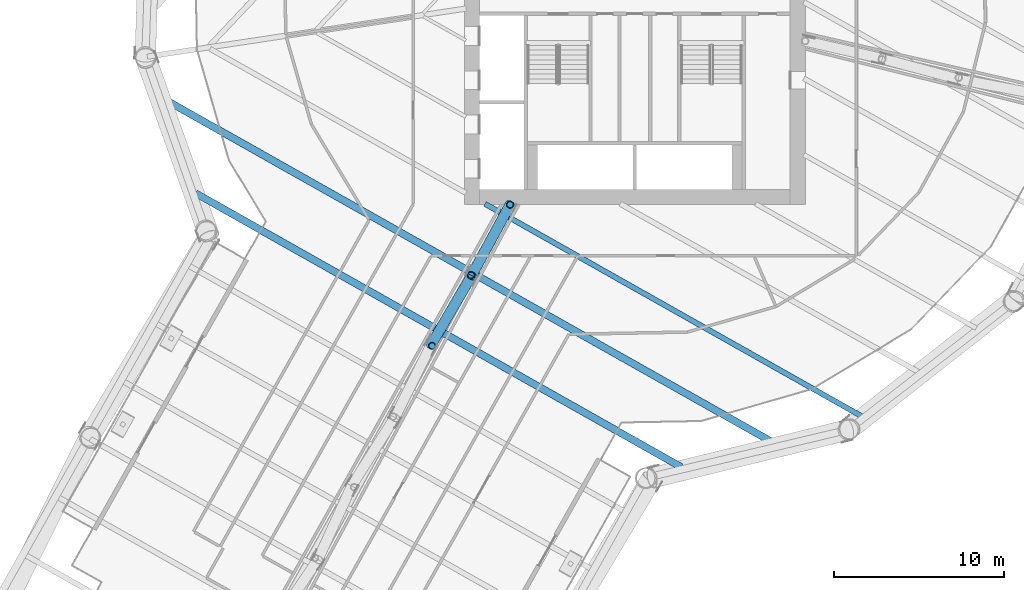
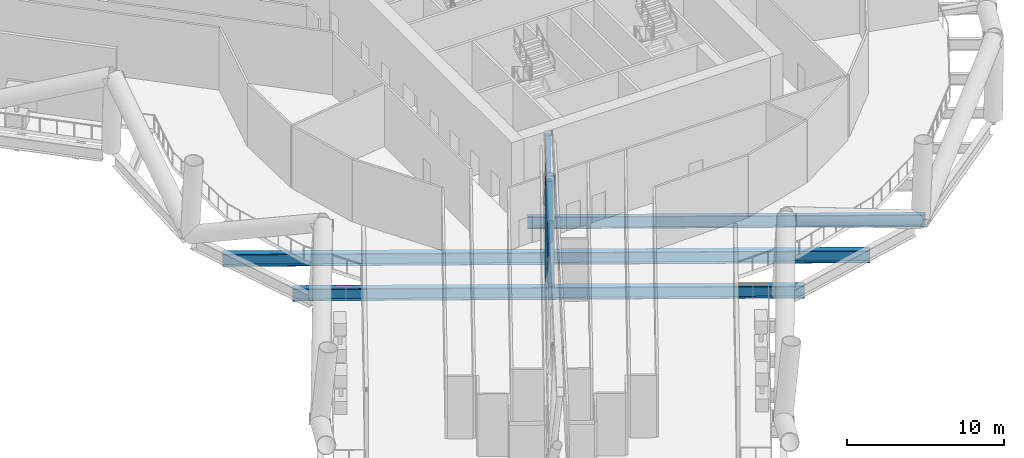
# One storey, part 4 of 39: 5 members, 3 beams.
"""IFC4 building model written with IfcOpenShell, lengths in metres."""

from ifc_helpers import new_model, si_unit, direction, frame, origin, origin_2d, place, context, subcontext, project, spatial, hollow_circle, i_section, extrude, material, material_profile, profile_set, type_object, element, save


model = new_model("IFC4")

# Units and contexts
model_context = context("Model", 3, precision=1e-05, world=origin(), true_north=direction((0.0, 1.0)))
body_context = subcontext(model_context, "Body", "Model", "MODEL_VIEW")
ifc_project = project(units=[si_unit("LENGTHUNIT", "METRE"), si_unit("AREAUNIT", "SQUARE_METRE"), si_unit("VOLUMEUNIT", "CUBIC_METRE"), si_unit("PLANEANGLEUNIT", "RADIAN"), si_unit("MASSUNIT", "GRAM", prefix="KILO")], contexts=[model_context])

# Site, building, storey
site_placement = place(None, origin())
site = spatial("IfcSite", under=ifc_project, at=site_placement, CompositionType="ELEMENT")
building_placement = place(site_placement, origin())
building = spatial("IfcBuilding", under=site, at=building_placement, Name="Tarsis Ring Headquarters", CompositionType="ELEMENT")
storey_placement = place(building_placement, frame((0.0, 0.0, 86.800048828125)))
storey = spatial("IfcBuildingStorey", under=building, at=storey_placement, Name="L19", CompositionType="ELEMENT", Elevation=86.800048828125)

# Beams
ifc_material = material(Name="Structural steel S355", Category="steel")
ifc_material_profile_1 = material_profile(ifc_material, i_section(OverallWidth=0.309814453125, OverallDepth=0.93212890625, WebThickness=0.02099609375, FlangeThickness=0.034423828125, at=origin_2d()), Name="W36x210")
ifc_profile_set_1 = profile_set([ifc_material_profile_1], Name="Structural steel S355")
beam_type_1 = type_object("IfcBeamType", Name="FB Floor beam W36x210", PredefinedType="JOIST", material=ifc_profile_set_1)
beam_1_placement = place(storey_placement, frame((-8.793212890625, -12.950927734375, -0.76611328125), z_axis=(0.871045096295, -0.491203053961, 0.0), x_axis=(0.491203053961, 0.871045096295, 0.0)))
element("IfcBeam", 1, at=beam_1_placement, inside=storey, type_object=beam_type_1, Name="Floor beam FB10", PredefinedType="JOIST", context=body_context, shape_type="SweptSolid", body=[
    extrude(i_section(OverallWidth=0.309814453125, OverallDepth=0.93212890625, WebThickness=0.02099609375, FlangeThickness=0.034423828125, at=origin_2d()), origin(), (0.0, 0.0, 1.0), 25.406982421875),
])
ifc_material_profile_2 = material_profile(ifc_material, i_section(OverallWidth=0.42431640625, OverallDepth=0.947509765625, WebThickness=0.02392578125, FlangeThickness=0.042724609375, at=origin_2d()), Name="W36x302")
ifc_profile_set_2 = profile_set([ifc_material_profile_2], Name="Structural steel S355")
beam_type_2 = type_object("IfcBeamType", Name="FB Floor beam W36x302", PredefinedType="JOIST", material=ifc_profile_set_2)
beam_2_placement = place(storey_placement, frame((-27.72314453125, -6.7529296875, -0.773681640625), z_axis=(0.871041944813, -0.491208642409, 0.0), x_axis=(0.491208642409, 0.871041944813, 0.0)))
element("IfcBeam", 2, at=beam_2_placement, inside=storey, type_object=beam_type_2, Name="Floor beam FB12", PredefinedType="JOIST", context=body_context, shape_type="SweptSolid", body=[
    extrude(i_section(OverallWidth=0.42431640625, OverallDepth=0.947509765625, WebThickness=0.02392578125, FlangeThickness=0.042724609375, at=origin_2d()), origin(), (0.0, 0.0, 1.0), 41.35302734375),
])
beam_3_placement = place(storey_placement, frame((-25.774169921875, -12.32958984375, -0.773681640625), z_axis=(0.871044725091, -0.491203712212, 0.0), x_axis=(0.491203712212, 0.871044725091, 0.0)))
element("IfcBeam", 3, at=beam_3_placement, inside=storey, type_object=beam_type_2, Name="Floor beam FB12", PredefinedType="JOIST", context=body_context, shape_type="SweptSolid", body=[
    extrude(i_section(OverallWidth=0.42431640625, OverallDepth=0.947509765625, WebThickness=0.02392578125, FlangeThickness=0.042724609375, at=origin_2d()), origin(), (0.0, 0.0, 1.0), 32.704833984375),
])

# Members
ifc_material_profile_3 = material_profile(ifc_material, hollow_circle(Radius=0.3046875, WallThickness=0.02490234375, at=origin_2d()), Name="CHS 610x25")
ifc_profile_set_3 = profile_set([ifc_material_profile_3], Name="Structural steel S355")
member_type_1 = type_object("IfcMemberType", Name="OD Outrigger diagonal CHS 610x25", PredefinedType="BRACE", material=ifc_profile_set_3)
member_1_placement = place(storey_placement, frame((-7.3212890625, -13.0, 0.25390625), z_axis=(-0.316031499098, -0.583995808863, 0.74771183407), x_axis=(0.879480828973, -0.475934314237, 0.0)))
element("IfcMember", 4, at=member_1_placement, inside=storey, type_object=member_type_1, Name="Outrigger diagonal OD1", PredefinedType="BRACE", context=body_context, shape_type="SweptSolid", body=[
    extrude(hollow_circle(Radius=0.3046875, WallThickness=0.02490234375, at=origin_2d()), origin(), (0.0, 0.0, 1.0), 7.131103515625),
])
member_2_placement = place(storey_placement, frame((-9.574951171875, -17.16455078125, 5.5859375), z_axis=(-0.335586957545, -0.573061886086, -0.747650632743), x_axis=(0.862925107828, -0.505331829871, 0.0)))
element("IfcMember", 5, at=member_2_placement, inside=storey, type_object=member_type_1, Name="Outrigger diagonal OD1", PredefinedType="BRACE", context=body_context, shape_type="SweptSolid", body=[
    extrude(hollow_circle(Radius=0.3046875, WallThickness=0.02490234375, at=origin_2d()), origin(), (0.0, 0.0, 1.0), 7.1318359375),
])
ifc_material_profile_4 = material_profile(ifc_material, hollow_circle(Radius=0.203125, WallThickness=0.01611328125, at=origin_2d()), Name="CHS 406x16")
ifc_profile_set_4 = profile_set([ifc_material_profile_4], Name="Structural steel S355")
member_type_2 = type_object("IfcMemberType", Name="OV Outrigger post CHS 406x16", PredefinedType="STRUT", material=ifc_profile_set_4)
member_3_placement = place(storey_placement, frame((-7.3212890625, -13.0, 0.508056640625), z_axis=(0.0, 0.0, 1.0), x_axis=(1.0, 0.0, 0.0)))
element("IfcMember", 6, at=member_3_placement, inside=storey, type_object=member_type_2, Name="Outrigger post OV1", PredefinedType="STRUT", context=body_context, shape_type="SweptSolid", body=[
    extrude(hollow_circle(Radius=0.203125, WallThickness=0.01611328125, at=origin_2d()), origin(), (0.0, 0.0, 1.0), 5.077880859375),
])
for number, where, z_axis, x_axis, name in (
    (7, (-9.60986328125, -17.14501953125, 0.508056640625), (0.0, 0.0, 1.0), (1.0, 0.0, 0.0), "Outrigger post OV1"),
    (8, (-11.8984375, -21.290283203125, 0.508056640625), (0.0, 0.0, 1.0), (1.0, 0.0, 0.0), "Outrigger post OV1"),
):
    element("IfcMember", number, at=place(storey_placement, frame(where, z_axis=z_axis, x_axis=x_axis)), inside=storey, type_object=member_type_2, Name=name, PredefinedType="STRUT", context=body_context, shape_type="SweptSolid", body=[
        extrude(hollow_circle(Radius=0.203125, WallThickness=0.01611328125, at=origin_2d()), origin(), (0.0, 0.0, 1.0), 4.823974609375),
    ])

save(model, "model.ifc")
